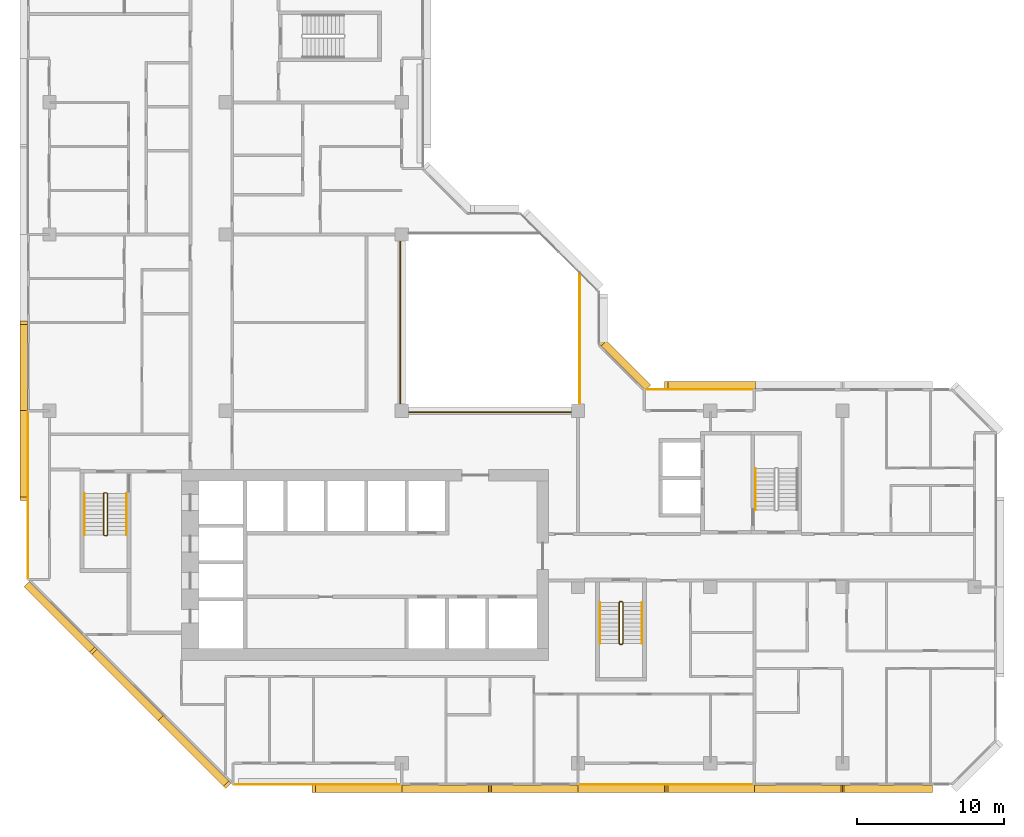
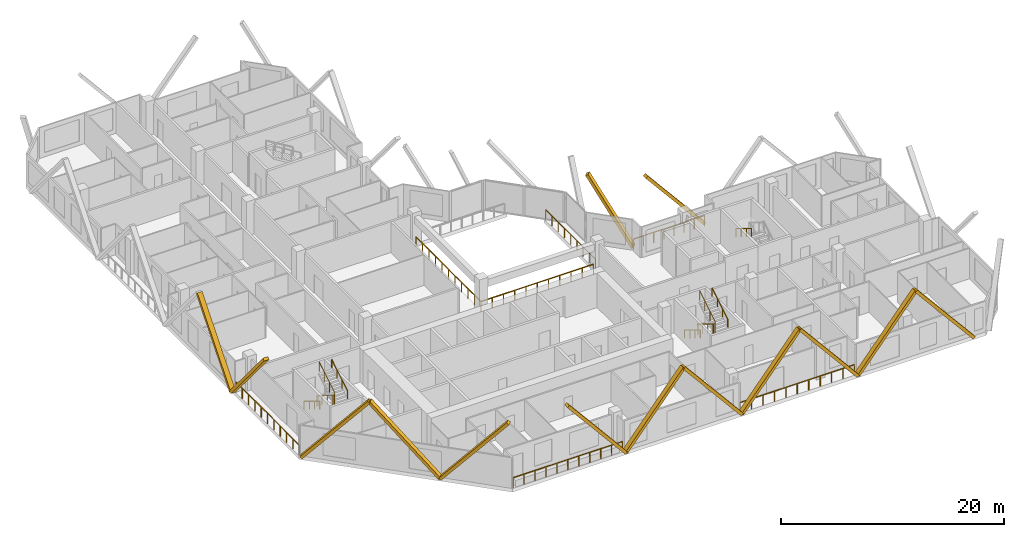
# One storey, part 13 of 14: 14 coverings, 13 railings.
"""IFC4 building model written with IfcOpenShell, lengths in metres."""

from ifc_helpers import new_model, si_unit, direction, frame, origin, origin_2d, place, context, subcontext, project, spatial, rectangle, extrude, material, material_profile, profile_set, type_object, element, save


model = new_model("IFC4")

# Units and contexts
model_context = context("Model", 3, precision=1e-05, world=origin(), true_north=direction((0.0, 1.0)))
body_context = subcontext(model_context, "Body", "Model", "MODEL_VIEW")
ifc_project = project(units=[si_unit("LENGTHUNIT", "METRE"), si_unit("AREAUNIT", "SQUARE_METRE"), si_unit("VOLUMEUNIT", "CUBIC_METRE"), si_unit("PLANEANGLEUNIT", "RADIAN"), si_unit("MASSUNIT", "GRAM", prefix="KILO")], contexts=[model_context])

# Site, building, storey
site_placement = place(None, origin())
site = spatial("IfcSite", under=ifc_project, at=site_placement, CompositionType="ELEMENT")
building_placement = place(site_placement, origin())
building = spatial("IfcBuilding", under=site, at=building_placement, Name="Chenar Terraces", CompositionType="ELEMENT")
storey_placement = place(building_placement, frame((0.0, 0.0, 164.89990234375)))
storey = spatial("IfcBuildingStorey", under=building, at=storey_placement, Name="L37", CompositionType="ELEMENT", Elevation=164.89990234375)

# Railings
ifc_material_1 = material(Name="Powder-coated steel", Category="steel")
railing_type_1 = type_object("IfcRailingType", Name="Guard 1100 steel rail with glass infill", PredefinedType="GUARDRAIL", material=ifc_material_1)
railing_1_placement = place(storey_placement, frame((23.89990234375, 35.550048828125, 0.0)))
element("IfcRailing", 1, at=railing_1_placement, inside=storey, type_object=railing_type_1, Name="Guard L37-1", PredefinedType="GUARDRAIL", context=body_context, shape_type="SweptSolid", body=[
    extrude(rectangle(XDim=0.06005859375, YDim=0.06005859375, at=origin_2d()), frame((0.0, 0.0, 1.070068359375), z_axis=(0.0, -1.0, 0.0), x_axis=(1.0, 0.0, 0.0)), (0.0, 0.0, 1.0), 11.650146484375),
    extrude(rectangle(XDim=0.06005859375, YDim=0.06005859375, at=origin_2d()), frame((0.0, -11.650146484375, 1.070068359375), z_axis=(1.0, 0.0, 0.0), x_axis=(0.0, 1.0, 0.0)), (0.0, 0.0, 1.0), 11.650146484375),
    extrude(rectangle(XDim=0.050048828125, YDim=0.050048828125, at=origin_2d()), origin(), (0.0, 0.0, 1.0), 1.0400390625),
    extrude(rectangle(XDim=0.050048828125, YDim=0.050048828125, at=origin_2d()), frame((0.0, -1.1650390625, 0.0)), (0.0, 0.0, 1.0), 1.0400390625),
    extrude(rectangle(XDim=0.050048828125, YDim=0.050048828125, at=origin_2d()), frame((0.0, -2.330078125, 0.0)), (0.0, 0.0, 1.0), 1.0400390625),
    extrude(rectangle(XDim=0.050048828125, YDim=0.050048828125, at=origin_2d()), frame((0.0, -3.4951171875, 0.0)), (0.0, 0.0, 1.0), 1.0400390625),
    extrude(rectangle(XDim=0.050048828125, YDim=0.050048828125, at=origin_2d()), frame((0.0, -4.66015625, 0.0)), (0.0, 0.0, 1.0), 1.0400390625),
    extrude(rectangle(XDim=0.050048828125, YDim=0.050048828125, at=origin_2d()), frame((0.0, -5.8251953125, 0.0)), (0.0, 0.0, 1.0), 1.0400390625),
    extrude(rectangle(XDim=0.050048828125, YDim=0.050048828125, at=origin_2d()), frame((0.0, -6.989990234375, 0.0)), (0.0, 0.0, 1.0), 1.0400390625),
    extrude(rectangle(XDim=0.050048828125, YDim=0.050048828125, at=origin_2d()), frame((0.0, -8.155029296875, 0.0)), (0.0, 0.0, 1.0), 1.0400390625),
    extrude(rectangle(XDim=0.050048828125, YDim=0.050048828125, at=origin_2d()), frame((0.0, -9.320068359375, 0.0)), (0.0, 0.0, 1.0), 1.0400390625),
    extrude(rectangle(XDim=0.050048828125, YDim=0.050048828125, at=origin_2d()), frame((0.0, -10.485107421875, 0.0)), (0.0, 0.0, 1.0), 1.0400390625),
    extrude(rectangle(XDim=0.050048828125, YDim=0.050048828125, at=origin_2d()), frame((0.0, -11.650146484375, 0.0)), (0.0, 0.0, 1.0), 1.0400390625),
    extrude(rectangle(XDim=0.050048828125, YDim=0.050048828125, at=origin_2d()), frame((1.1650390625, -11.650146484375, 0.0)), (0.0, 0.0, 1.0), 1.0400390625),
    extrude(rectangle(XDim=0.050048828125, YDim=0.050048828125, at=origin_2d()), frame((2.330078125, -11.650146484375, 0.0)), (0.0, 0.0, 1.0), 1.0400390625),
    extrude(rectangle(XDim=0.050048828125, YDim=0.050048828125, at=origin_2d()), frame((3.4951171875, -11.650146484375, 0.0)), (0.0, 0.0, 1.0), 1.0400390625),
    extrude(rectangle(XDim=0.050048828125, YDim=0.050048828125, at=origin_2d()), frame((4.66015625, -11.650146484375, 0.0)), (0.0, 0.0, 1.0), 1.0400390625),
    extrude(rectangle(XDim=0.050048828125, YDim=0.050048828125, at=origin_2d()), frame((5.8251953125, -11.650146484375, 0.0)), (0.0, 0.0, 1.0), 1.0400390625),
    extrude(rectangle(XDim=0.050048828125, YDim=0.050048828125, at=origin_2d()), frame((6.989990234375, -11.650146484375, 0.0)), (0.0, 0.0, 1.0), 1.0400390625),
    extrude(rectangle(XDim=0.050048828125, YDim=0.050048828125, at=origin_2d()), frame((8.155029296875, -11.650146484375, 0.0)), (0.0, 0.0, 1.0), 1.0400390625),
    extrude(rectangle(XDim=0.050048828125, YDim=0.050048828125, at=origin_2d()), frame((9.320068359375, -11.650146484375, 0.0)), (0.0, 0.0, 1.0), 1.0400390625),
    extrude(rectangle(XDim=0.050048828125, YDim=0.050048828125, at=origin_2d()), frame((10.485107421875, -11.650146484375, 0.0)), (0.0, 0.0, 1.0), 1.0400390625),
    extrude(rectangle(XDim=0.050048828125, YDim=0.050048828125, at=origin_2d()), frame((11.650146484375, -11.650146484375, 0.0)), (0.0, 0.0, 1.0), 1.0400390625),
])
railing_2_placement = place(storey_placement, frame((36.10009765625, 24.5, 0.0)))
element("IfcRailing", 2, at=railing_2_placement, inside=storey, type_object=railing_type_1, Name="Guard L37-3", PredefinedType="GUARDRAIL", context=body_context, shape_type="SweptSolid", body=[
    extrude(rectangle(XDim=0.06005859375, YDim=0.06005859375, at=origin_2d()), frame((0.0, 0.0, 1.070068359375), z_axis=(0.0, 1.0, 0.0), x_axis=(-1.0, 0.0, 0.0)), (0.0, 0.0, 1.0), 8.89990234375),
    extrude(rectangle(XDim=0.050048828125, YDim=0.050048828125, at=origin_2d()), origin(), (0.0, 0.0, 1.0), 1.0400390625),
    extrude(rectangle(XDim=0.050048828125, YDim=0.050048828125, at=origin_2d()), frame((0.0, 1.112548828125, 0.0)), (0.0, 0.0, 1.0), 1.0400390625),
    extrude(rectangle(XDim=0.050048828125, YDim=0.050048828125, at=origin_2d()), frame((0.0, 2.22509765625, 0.0)), (0.0, 0.0, 1.0), 1.0400390625),
    extrude(rectangle(XDim=0.050048828125, YDim=0.050048828125, at=origin_2d()), frame((0.0, 3.33740234375, 0.0)), (0.0, 0.0, 1.0), 1.0400390625),
    extrude(rectangle(XDim=0.050048828125, YDim=0.050048828125, at=origin_2d()), frame((0.0, 4.449951171875, 0.0)), (0.0, 0.0, 1.0), 1.0400390625),
    extrude(rectangle(XDim=0.050048828125, YDim=0.050048828125, at=origin_2d()), frame((0.0, 5.5625, 0.0)), (0.0, 0.0, 1.0), 1.0400390625),
    extrude(rectangle(XDim=0.050048828125, YDim=0.050048828125, at=origin_2d()), frame((0.0, 6.6748046875, 0.0)), (0.0, 0.0, 1.0), 1.0400390625),
    extrude(rectangle(XDim=0.050048828125, YDim=0.050048828125, at=origin_2d()), frame((0.0, 7.787353515625, 0.0)), (0.0, 0.0, 1.0), 1.0400390625),
    extrude(rectangle(XDim=0.050048828125, YDim=0.050048828125, at=origin_2d()), frame((0.0, 8.89990234375, 0.0)), (0.0, 0.0, 1.0), 1.0400390625),
])
ifc_material_2 = material(Name="Stainless steel and glass", Category="steel")
railing_type_2 = type_object("IfcRailingType", Name="Loggia guard 1150", PredefinedType="GUARDRAIL", material=ifc_material_2)
railing_3_placement = place(storey_placement, frame((47.925048828125, 25.449951171875, 0.0)))
element("IfcRailing", 3, at=railing_3_placement, inside=storey, type_object=railing_type_2, Name="Loggia guard", PredefinedType="GUARDRAIL", context=body_context, shape_type="SweptSolid", body=[
    extrude(rectangle(XDim=0.048095703125, YDim=0.048095703125, at=origin_2d()), frame((0.0, 0.0, 1.1259765625), z_axis=(-1.0, 0.0, 0.0), x_axis=(0.0, -1.0, 0.0)), (0.0, 0.0, 1.0), 7.35009765625),
    extrude(rectangle(XDim=0.0419921875, YDim=0.0419921875, at=origin_2d()), origin(), (0.0, 0.0, 1.0), 1.101806640625),
    extrude(rectangle(XDim=0.0419921875, YDim=0.0419921875, at=origin_2d()), frame((-1.050048828125, 0.0, 0.0)), (0.0, 0.0, 1.0), 1.101806640625),
    extrude(rectangle(XDim=0.0419921875, YDim=0.0419921875, at=origin_2d()), frame((-2.10009765625, 0.0, 0.0)), (0.0, 0.0, 1.0), 1.101806640625),
    extrude(rectangle(XDim=0.0419921875, YDim=0.0419921875, at=origin_2d()), frame((-3.150146484375, 0.0, 0.0)), (0.0, 0.0, 1.0), 1.101806640625),
    extrude(rectangle(XDim=0.0419921875, YDim=0.0419921875, at=origin_2d()), frame((-4.199951171875, 0.0, 0.0)), (0.0, 0.0, 1.0), 1.101806640625),
    extrude(rectangle(XDim=0.0419921875, YDim=0.0419921875, at=origin_2d()), frame((-5.25, 0.0, 0.0)), (0.0, 0.0, 1.0), 1.101806640625),
    extrude(rectangle(XDim=0.0419921875, YDim=0.0419921875, at=origin_2d()), frame((-6.300048828125, 0.0, 0.0)), (0.0, 0.0, 1.0), 1.101806640625),
    extrude(rectangle(XDim=0.0419921875, YDim=0.0419921875, at=origin_2d()), frame((-7.35009765625, 0.0, 0.0)), (0.0, 0.0, 1.0), 1.101806640625),
])
railing_4_placement = place(storey_placement, frame((12.574951171875, -1.449951171875, 0.0)))
element("IfcRailing", 4, at=railing_4_placement, inside=storey, type_object=railing_type_2, Name="Loggia guard", PredefinedType="GUARDRAIL", context=body_context, shape_type="SweptSolid", body=[
    extrude(rectangle(XDim=0.048095703125, YDim=0.048095703125, at=origin_2d()), frame((0.0, 0.0, 1.1259765625), z_axis=(1.0, 0.0, 0.0), x_axis=(0.0, 1.0, 0.0)), (0.0, 0.0, 1.0), 11.35009765625),
    extrude(rectangle(XDim=0.0419921875, YDim=0.0419921875, at=origin_2d()), origin(), (0.0, 0.0, 1.0), 1.101806640625),
    extrude(rectangle(XDim=0.0419921875, YDim=0.0419921875, at=origin_2d()), frame((1.135009765625, 0.0, 0.0)), (0.0, 0.0, 1.0), 1.101806640625),
    extrude(rectangle(XDim=0.0419921875, YDim=0.0419921875, at=origin_2d()), frame((2.27001953125, 0.0, 0.0)), (0.0, 0.0, 1.0), 1.101806640625),
    extrude(rectangle(XDim=0.0419921875, YDim=0.0419921875, at=origin_2d()), frame((3.405029296875, 0.0, 0.0)), (0.0, 0.0, 1.0), 1.101806640625),
    extrude(rectangle(XDim=0.0419921875, YDim=0.0419921875, at=origin_2d()), frame((4.5400390625, 0.0, 0.0)), (0.0, 0.0, 1.0), 1.101806640625),
    extrude(rectangle(XDim=0.0419921875, YDim=0.0419921875, at=origin_2d()), frame((5.675048828125, 0.0, 0.0)), (0.0, 0.0, 1.0), 1.101806640625),
    extrude(rectangle(XDim=0.0419921875, YDim=0.0419921875, at=origin_2d()), frame((6.81005859375, 0.0, 0.0)), (0.0, 0.0, 1.0), 1.101806640625),
    extrude(rectangle(XDim=0.0419921875, YDim=0.0419921875, at=origin_2d()), frame((7.945068359375, 0.0, 0.0)), (0.0, 0.0, 1.0), 1.101806640625),
    extrude(rectangle(XDim=0.0419921875, YDim=0.0419921875, at=origin_2d()), frame((9.080078125, 0.0, 0.0)), (0.0, 0.0, 1.0), 1.101806640625),
    extrude(rectangle(XDim=0.0419921875, YDim=0.0419921875, at=origin_2d()), frame((10.215087890625, 0.0, 0.0)), (0.0, 0.0, 1.0), 1.101806640625),
    extrude(rectangle(XDim=0.0419921875, YDim=0.0419921875, at=origin_2d()), frame((11.35009765625, 0.0, 0.0)), (0.0, 0.0, 1.0), 1.101806640625),
])
railing_5_placement = place(storey_placement, frame((36.074951171875, -1.449951171875, 0.0)))
element("IfcRailing", 5, at=railing_5_placement, inside=storey, type_object=railing_type_2, Name="Loggia guard", PredefinedType="GUARDRAIL", context=body_context, shape_type="SweptSolid", body=[
    extrude(rectangle(XDim=0.048095703125, YDim=0.048095703125, at=origin_2d()), frame((0.0, 0.0, 1.1259765625), z_axis=(1.0, 0.0, 0.0), x_axis=(0.0, 1.0, 0.0)), (0.0, 0.0, 1.0), 11.85009765625),
    extrude(rectangle(XDim=0.0419921875, YDim=0.0419921875, at=origin_2d()), origin(), (0.0, 0.0, 1.0), 1.101806640625),
    extrude(rectangle(XDim=0.0419921875, YDim=0.0419921875, at=origin_2d()), frame((1.18505859375, 0.0, 0.0)), (0.0, 0.0, 1.0), 1.101806640625),
    extrude(rectangle(XDim=0.0419921875, YDim=0.0419921875, at=origin_2d()), frame((2.3701171875, 0.0, 0.0)), (0.0, 0.0, 1.0), 1.101806640625),
    extrude(rectangle(XDim=0.0419921875, YDim=0.0419921875, at=origin_2d()), frame((3.554931640625, 0.0, 0.0)), (0.0, 0.0, 1.0), 1.101806640625),
    extrude(rectangle(XDim=0.0419921875, YDim=0.0419921875, at=origin_2d()), frame((4.739990234375, 0.0, 0.0)), (0.0, 0.0, 1.0), 1.101806640625),
    extrude(rectangle(XDim=0.0419921875, YDim=0.0419921875, at=origin_2d()), frame((5.925048828125, 0.0, 0.0)), (0.0, 0.0, 1.0), 1.101806640625),
    extrude(rectangle(XDim=0.0419921875, YDim=0.0419921875, at=origin_2d()), frame((7.110107421875, 0.0, 0.0)), (0.0, 0.0, 1.0), 1.101806640625),
    extrude(rectangle(XDim=0.0419921875, YDim=0.0419921875, at=origin_2d()), frame((8.295166015625, 0.0, 0.0)), (0.0, 0.0, 1.0), 1.101806640625),
    extrude(rectangle(XDim=0.0419921875, YDim=0.0419921875, at=origin_2d()), frame((9.47998046875, 0.0, 0.0)), (0.0, 0.0, 1.0), 1.101806640625),
    extrude(rectangle(XDim=0.0419921875, YDim=0.0419921875, at=origin_2d()), frame((10.6650390625, 0.0, 0.0)), (0.0, 0.0, 1.0), 1.101806640625),
    extrude(rectangle(XDim=0.0419921875, YDim=0.0419921875, at=origin_2d()), frame((11.85009765625, 0.0, 0.0)), (0.0, 0.0, 1.0), 1.101806640625),
])
railing_6_placement = place(storey_placement, frame((-1.449951171875, 23.925048828125, 0.0)))
element("IfcRailing", 6, at=railing_6_placement, inside=storey, type_object=railing_type_2, Name="Loggia guard", PredefinedType="GUARDRAIL", context=body_context, shape_type="SweptSolid", body=[
    extrude(rectangle(XDim=0.048095703125, YDim=0.048095703125, at=origin_2d()), frame((0.0, 0.0, 1.1259765625), z_axis=(0.0, -1.0, 0.0), x_axis=(1.0, 0.0, 0.0)), (0.0, 0.0, 1.0), 11.35009765625),
    extrude(rectangle(XDim=0.0419921875, YDim=0.0419921875, at=origin_2d()), origin(), (0.0, 0.0, 1.0), 1.101806640625),
    extrude(rectangle(XDim=0.0419921875, YDim=0.0419921875, at=origin_2d()), frame((0.0, -1.135009765625, 0.0)), (0.0, 0.0, 1.0), 1.101806640625),
    extrude(rectangle(XDim=0.0419921875, YDim=0.0419921875, at=origin_2d()), frame((0.0, -2.27001953125, 0.0)), (0.0, 0.0, 1.0), 1.101806640625),
    extrude(rectangle(XDim=0.0419921875, YDim=0.0419921875, at=origin_2d()), frame((0.0, -3.405029296875, 0.0)), (0.0, 0.0, 1.0), 1.101806640625),
    extrude(rectangle(XDim=0.0419921875, YDim=0.0419921875, at=origin_2d()), frame((0.0, -4.5400390625, 0.0)), (0.0, 0.0, 1.0), 1.101806640625),
    extrude(rectangle(XDim=0.0419921875, YDim=0.0419921875, at=origin_2d()), frame((0.0, -5.675048828125, 0.0)), (0.0, 0.0, 1.0), 1.101806640625),
    extrude(rectangle(XDim=0.0419921875, YDim=0.0419921875, at=origin_2d()), frame((0.0, -6.81005859375, 0.0)), (0.0, 0.0, 1.0), 1.101806640625),
    extrude(rectangle(XDim=0.0419921875, YDim=0.0419921875, at=origin_2d()), frame((0.0, -7.945068359375, 0.0)), (0.0, 0.0, 1.0), 1.101806640625),
    extrude(rectangle(XDim=0.0419921875, YDim=0.0419921875, at=origin_2d()), frame((0.0, -9.080078125, 0.0)), (0.0, 0.0, 1.0), 1.101806640625),
    extrude(rectangle(XDim=0.0419921875, YDim=0.0419921875, at=origin_2d()), frame((0.0, -10.215087890625, 0.0)), (0.0, 0.0, 1.0), 1.101806640625),
    extrude(rectangle(XDim=0.0419921875, YDim=0.0419921875, at=origin_2d()), frame((0.0, -11.35009765625, 0.0)), (0.0, 0.0, 1.0), 1.101806640625),
])
ifc_material_3 = material(Name="Powder-coated steel", Category="steel")
railing_type_3 = type_object("IfcRailingType", Name="Stair guard 1100", PredefinedType="GUARDRAIL", material=ifc_material_3)
railing_7_placement = place(storey_placement, frame((3.949951171875, 18.35009765625, 3.75)))
element("IfcRailing", 7, at=railing_7_placement, inside=storey, type_object=railing_type_3, Name="L37 ST1 stair guard 1", PredefinedType="GUARDRAIL", context=body_context, shape_type="SweptSolid", body=[
    extrude(rectangle(XDim=0.048095703125, YDim=0.048095703125, at=origin_2d()), frame((0.0, 0.0, 1.076171875), z_axis=(0.0, -0.854202870247, -0.519939858505), x_axis=(1.0, 0.0, 0.0)), (0.0, 0.0, 1.0), 3.278076171875),
    extrude(rectangle(XDim=0.048095703125, YDim=0.048095703125, at=origin_2d()), frame((0.0, -2.800048828125, -0.62841796875), z_axis=(-0.270899902878, -0.270899902878, -0.923702595667), x_axis=(0.707106781187, -0.707106781187, 0.0)), (0.0, 0.0, 1.0), 0.184814453125),
    extrude(rectangle(XDim=0.048095703125, YDim=0.048095703125, at=origin_2d()), frame((-0.050048828125, -2.85009765625, -0.798828125), z_axis=(-1.0, 0.0, 0.0), x_axis=(0.0, -1.0, 0.0)), (0.0, 0.0, 1.0), 0.14990234375),
    extrude(rectangle(XDim=0.048095703125, YDim=0.048095703125, at=origin_2d()), frame((-0.199951171875, -2.85009765625, -0.798828125), z_axis=(-0.707106781187, 0.707106781187, 0.0), x_axis=(-0.707106781187, -0.707106781187, 0.0)), (0.0, 0.0, 1.0), 0.07080078125),
    extrude(rectangle(XDim=0.048095703125, YDim=0.048095703125, at=origin_2d()), frame((-0.25, -2.800048828125, -0.798828125), z_axis=(0.0, 0.854202870247, -0.519939858505), x_axis=(-1.0, 0.0, 0.0)), (0.0, 0.0, 1.0), 3.278076171875),
    extrude(rectangle(XDim=0.048095703125, YDim=0.048095703125, at=origin_2d()), frame((-0.25, 0.0, -2.50341796875), z_axis=(0.270996696079, 0.269674760976, -0.924032636873), x_axis=(-0.705375805398, 0.708833529934, 0.0)), (0.0, 0.0, 1.0), 0.1845703125),
    extrude(rectangle(XDim=0.048095703125, YDim=0.048095703125, at=origin_2d()), frame((-0.199951171875, 0.0498046875, -2.673828125), z_axis=(1.0, 0.0, 0.0), x_axis=(0.0, 1.0, 0.0)), (0.0, 0.0, 1.0), 0.14990234375),
    extrude(rectangle(XDim=0.0419921875, YDim=0.0419921875, at=origin_2d()), origin(), (0.0, 0.0, 1.0), 1.052001953125),
    extrude(rectangle(XDim=0.0419921875, YDim=0.0419921875, at=origin_2d()), frame((0.0, -0.933349609375, -0.568115234375)), (0.0, 0.0, 1.0), 1.052001953125),
    extrude(rectangle(XDim=0.0419921875, YDim=0.0419921875, at=origin_2d()), frame((0.0, -1.86669921875, -1.13623046875)), (0.0, 0.0, 1.0), 1.052001953125),
    extrude(rectangle(XDim=0.0419921875, YDim=0.0419921875, at=origin_2d()), frame((0.0, -2.800048828125, -1.704345703125)), (0.0, 0.0, 1.0), 1.052001953125),
    extrude(rectangle(XDim=0.0419921875, YDim=0.0419921875, at=origin_2d()), frame((-0.050048828125, -2.85009765625, -1.875)), (0.0, 0.0, 1.0), 1.052001953125),
    extrude(rectangle(XDim=0.0419921875, YDim=0.0419921875, at=origin_2d()), frame((-0.199951171875, -2.85009765625, -1.875)), (0.0, 0.0, 1.0), 1.052001953125),
    extrude(rectangle(XDim=0.0419921875, YDim=0.0419921875, at=origin_2d()), frame((-0.25, -2.800048828125, -1.875)), (0.0, 0.0, 1.0), 1.052001953125),
    extrude(rectangle(XDim=0.0419921875, YDim=0.0419921875, at=origin_2d()), frame((-0.25, -1.86669921875, -2.443115234375)), (0.0, 0.0, 1.0), 1.052001953125),
    extrude(rectangle(XDim=0.0419921875, YDim=0.0419921875, at=origin_2d()), frame((-0.25, -0.933349609375, -3.01123046875)), (0.0, 0.0, 1.0), 1.052001953125),
    extrude(rectangle(XDim=0.0419921875, YDim=0.0419921875, at=origin_2d()), frame((-0.25, 0.0, -3.579345703125)), (0.0, 0.0, 1.0), 1.052001953125),
    extrude(rectangle(XDim=0.0419921875, YDim=0.0419921875, at=origin_2d()), frame((-0.199951171875, 0.0498046875, -3.75)), (0.0, 0.0, 1.0), 1.052001953125),
    extrude(rectangle(XDim=0.0419921875, YDim=0.0419921875, at=origin_2d()), frame((-0.050048828125, 0.0498046875, -3.75)), (0.0, 0.0, 1.0), 1.052001953125),
])
railing_8_placement = place(storey_placement, frame((39.050048828125, 10.949951171875, 3.75)))
element("IfcRailing", 8, at=railing_8_placement, inside=storey, type_object=railing_type_3, Name="L37 ST2 stair guard 1", PredefinedType="GUARDRAIL", context=body_context, shape_type="SweptSolid", body=[
    extrude(rectangle(XDim=0.048095703125, YDim=0.048095703125, at=origin_2d()), frame((0.0, 0.0, 1.076171875), z_axis=(0.0, -0.854202870247, -0.519939858505), x_axis=(1.0, 0.0, 0.0)), (0.0, 0.0, 1.0), 3.278076171875),
    extrude(rectangle(XDim=0.048095703125, YDim=0.048095703125, at=origin_2d()), frame((0.0, -2.800048828125, -0.62841796875), z_axis=(-0.270996696079, -0.269674760976, -0.924032636873), x_axis=(0.705375805398, -0.708833529934, 0.0)), (0.0, 0.0, 1.0), 0.1845703125),
    extrude(rectangle(XDim=0.048095703125, YDim=0.048095703125, at=origin_2d()), frame((-0.050048828125, -2.849853515625, -0.798828125), z_axis=(-1.0, 0.0, 0.0), x_axis=(0.0, -1.0, 0.0)), (0.0, 0.0, 1.0), 0.14990234375),
    extrude(rectangle(XDim=0.048095703125, YDim=0.048095703125, at=origin_2d()), frame((-0.199951171875, -2.849853515625, -0.798828125), z_axis=(-0.708833529934, 0.705375805398, 0.0), x_axis=(-0.705375805398, -0.708833529934, 0.0)), (0.0, 0.0, 1.0), 0.070556640625),
    extrude(rectangle(XDim=0.048095703125, YDim=0.048095703125, at=origin_2d()), frame((-0.25, -2.800048828125, -0.798828125), z_axis=(0.0, 0.854202870247, -0.519939858505), x_axis=(-1.0, 0.0, 0.0)), (0.0, 0.0, 1.0), 3.278076171875),
    extrude(rectangle(XDim=0.048095703125, YDim=0.048095703125, at=origin_2d()), frame((-0.25, 0.0, -2.50341796875), z_axis=(0.270899902878, 0.270899902878, -0.923702595667), x_axis=(-0.707106781187, 0.707106781187, 0.0)), (0.0, 0.0, 1.0), 0.184814453125),
    extrude(rectangle(XDim=0.048095703125, YDim=0.048095703125, at=origin_2d()), frame((-0.199951171875, 0.050048828125, -2.673828125), z_axis=(1.0, 0.0, 0.0), x_axis=(0.0, 1.0, 0.0)), (0.0, 0.0, 1.0), 0.14990234375),
    extrude(rectangle(XDim=0.0419921875, YDim=0.0419921875, at=origin_2d()), origin(), (0.0, 0.0, 1.0), 1.052001953125),
    extrude(rectangle(XDim=0.0419921875, YDim=0.0419921875, at=origin_2d()), frame((0.0, -0.933349609375, -0.568115234375)), (0.0, 0.0, 1.0), 1.052001953125),
    extrude(rectangle(XDim=0.0419921875, YDim=0.0419921875, at=origin_2d()), frame((0.0, -1.86669921875, -1.13623046875)), (0.0, 0.0, 1.0), 1.052001953125),
    extrude(rectangle(XDim=0.0419921875, YDim=0.0419921875, at=origin_2d()), frame((0.0, -2.800048828125, -1.704345703125)), (0.0, 0.0, 1.0), 1.052001953125),
    extrude(rectangle(XDim=0.0419921875, YDim=0.0419921875, at=origin_2d()), frame((-0.050048828125, -2.849853515625, -1.875)), (0.0, 0.0, 1.0), 1.052001953125),
    extrude(rectangle(XDim=0.0419921875, YDim=0.0419921875, at=origin_2d()), frame((-0.199951171875, -2.849853515625, -1.875)), (0.0, 0.0, 1.0), 1.052001953125),
    extrude(rectangle(XDim=0.0419921875, YDim=0.0419921875, at=origin_2d()), frame((-0.25, -2.800048828125, -1.875)), (0.0, 0.0, 1.0), 1.052001953125),
    extrude(rectangle(XDim=0.0419921875, YDim=0.0419921875, at=origin_2d()), frame((-0.25, -1.86669921875, -2.443115234375)), (0.0, 0.0, 1.0), 1.052001953125),
    extrude(rectangle(XDim=0.0419921875, YDim=0.0419921875, at=origin_2d()), frame((-0.25, -0.933349609375, -3.01123046875)), (0.0, 0.0, 1.0), 1.052001953125),
    extrude(rectangle(XDim=0.0419921875, YDim=0.0419921875, at=origin_2d()), frame((-0.25, 0.0, -3.579345703125)), (0.0, 0.0, 1.0), 1.052001953125),
    extrude(rectangle(XDim=0.0419921875, YDim=0.0419921875, at=origin_2d()), frame((-0.199951171875, 0.050048828125, -3.75)), (0.0, 0.0, 1.0), 1.052001953125),
    extrude(rectangle(XDim=0.0419921875, YDim=0.0419921875, at=origin_2d()), frame((-0.050048828125, 0.050048828125, -3.75)), (0.0, 0.0, 1.0), 1.052001953125),
])
ifc_material_4 = material(Name="Powder-coated steel", Category="steel")
railing_type_4 = type_object("IfcRailingType", Name="Stair handrail 900", PredefinedType="HANDRAIL", material=ifc_material_4)
railing_9_placement = place(storey_placement, frame((2.39990234375, 18.35009765625, 0.170654296875)))
element("IfcRailing", 9, at=railing_9_placement, inside=storey, type_object=railing_type_4, Name="L37 ST1 stair handrail 1", PredefinedType="HANDRAIL", context=body_context, shape_type="SweptSolid", body=[
    extrude(rectangle(XDim=0.048095703125, YDim=0.048095703125, at=origin_2d()), frame((0.0, 0.0, 0.8759765625), z_axis=(0.0, -0.854202870247, 0.519939858505), x_axis=(1.0, 0.0, 0.0)), (0.0, 0.0, 1.0), 3.278076171875),
    extrude(rectangle(XDim=0.0419921875, YDim=0.0419921875, at=origin_2d()), origin(), (0.0, 0.0, 1.0), 0.851806640625),
    extrude(rectangle(XDim=0.0419921875, YDim=0.0419921875, at=origin_2d()), frame((0.0, -0.933349609375, 0.568115234375)), (0.0, 0.0, 1.0), 0.851806640625),
    extrude(rectangle(XDim=0.0419921875, YDim=0.0419921875, at=origin_2d()), frame((0.0, -1.86669921875, 1.13623046875)), (0.0, 0.0, 1.0), 0.851806640625),
    extrude(rectangle(XDim=0.0419921875, YDim=0.0419921875, at=origin_2d()), frame((0.0, -2.800048828125, 1.704345703125)), (0.0, 0.0, 1.0), 0.851806640625),
])
railing_10_placement = place(storey_placement, frame((5.25, 15.550048828125, 2.045654296875)))
element("IfcRailing", 10, at=railing_10_placement, inside=storey, type_object=railing_type_4, Name="L37 ST1 stair handrail 2", PredefinedType="HANDRAIL", context=body_context, shape_type="SweptSolid", body=[
    extrude(rectangle(XDim=0.048095703125, YDim=0.048095703125, at=origin_2d()), frame((0.0, 0.0, 0.8759765625), z_axis=(0.0, 0.854202870247, 0.519939858505), x_axis=(-1.0, 0.0, 0.0)), (0.0, 0.0, 1.0), 3.278076171875),
    extrude(rectangle(XDim=0.0419921875, YDim=0.0419921875, at=origin_2d()), origin(), (0.0, 0.0, 1.0), 0.851806640625),
    extrude(rectangle(XDim=0.0419921875, YDim=0.0419921875, at=origin_2d()), frame((0.0, 0.933349609375, 0.568115234375)), (0.0, 0.0, 1.0), 0.851806640625),
    extrude(rectangle(XDim=0.0419921875, YDim=0.0419921875, at=origin_2d()), frame((0.0, 1.86669921875, 1.13623046875)), (0.0, 0.0, 1.0), 0.851806640625),
    extrude(rectangle(XDim=0.0419921875, YDim=0.0419921875, at=origin_2d()), frame((0.0, 2.800048828125, 1.704345703125)), (0.0, 0.0, 1.0), 0.851806640625),
])
railing_11_placement = place(storey_placement, frame((37.5, 10.949951171875, 0.170654296875)))
element("IfcRailing", 11, at=railing_11_placement, inside=storey, type_object=railing_type_4, Name="L37 ST2 stair handrail 1", PredefinedType="HANDRAIL", context=body_context, shape_type="SweptSolid", body=[
    extrude(rectangle(XDim=0.048095703125, YDim=0.048095703125, at=origin_2d()), frame((0.0, 0.0, 0.8759765625), z_axis=(0.0, -0.854202870247, 0.519939858505), x_axis=(1.0, 0.0, 0.0)), (0.0, 0.0, 1.0), 3.278076171875),
    extrude(rectangle(XDim=0.0419921875, YDim=0.0419921875, at=origin_2d()), origin(), (0.0, 0.0, 1.0), 0.851806640625),
    extrude(rectangle(XDim=0.0419921875, YDim=0.0419921875, at=origin_2d()), frame((0.0, -0.933349609375, 0.568115234375)), (0.0, 0.0, 1.0), 0.851806640625),
    extrude(rectangle(XDim=0.0419921875, YDim=0.0419921875, at=origin_2d()), frame((0.0, -1.86669921875, 1.13623046875)), (0.0, 0.0, 1.0), 0.851806640625),
    extrude(rectangle(XDim=0.0419921875, YDim=0.0419921875, at=origin_2d()), frame((0.0, -2.800048828125, 1.704345703125)), (0.0, 0.0, 1.0), 0.851806640625),
])
railing_12_placement = place(storey_placement, frame((40.35009765625, 8.14990234375, 2.045654296875)))
element("IfcRailing", 12, at=railing_12_placement, inside=storey, type_object=railing_type_4, Name="L37 ST2 stair handrail 2", PredefinedType="HANDRAIL", context=body_context, shape_type="SweptSolid", body=[
    extrude(rectangle(XDim=0.048095703125, YDim=0.048095703125, at=origin_2d()), frame((0.0, 0.0, 0.8759765625), z_axis=(0.0, 0.854202870247, 0.519939858505), x_axis=(-1.0, 0.0, 0.0)), (0.0, 0.0, 1.0), 3.278076171875),
    extrude(rectangle(XDim=0.0419921875, YDim=0.0419921875, at=origin_2d()), origin(), (0.0, 0.0, 1.0), 0.851806640625),
    extrude(rectangle(XDim=0.0419921875, YDim=0.0419921875, at=origin_2d()), frame((0.0, 0.933349609375, 0.568115234375)), (0.0, 0.0, 1.0), 0.851806640625),
    extrude(rectangle(XDim=0.0419921875, YDim=0.0419921875, at=origin_2d()), frame((0.0, 1.86669921875, 1.13623046875)), (0.0, 0.0, 1.0), 0.851806640625),
    extrude(rectangle(XDim=0.0419921875, YDim=0.0419921875, at=origin_2d()), frame((0.0, 2.800048828125, 1.704345703125)), (0.0, 0.0, 1.0), 0.851806640625),
])
railing_13_placement = place(storey_placement, frame((48.074951171875, 20.050048828125, 2.045654296875)))
element("IfcRailing", 13, at=railing_13_placement, inside=storey, type_object=railing_type_4, Name="L37 ST3 stair handrail 2", PredefinedType="HANDRAIL", context=body_context, shape_type="SweptSolid", body=[
    extrude(rectangle(XDim=0.048095703125, YDim=0.048095703125, at=origin_2d()), frame((0.0, 0.0, 0.8759765625), z_axis=(0.0, -0.854202870247, 0.519939858505), x_axis=(1.0, 0.0, 0.0)), (0.0, 0.0, 1.0), 3.278076171875),
    extrude(rectangle(XDim=0.0419921875, YDim=0.0419921875, at=origin_2d()), origin(), (0.0, 0.0, 1.0), 0.851806640625),
    extrude(rectangle(XDim=0.0419921875, YDim=0.0419921875, at=origin_2d()), frame((0.0, -0.933349609375, 0.568115234375)), (0.0, 0.0, 1.0), 0.851806640625),
    extrude(rectangle(XDim=0.0419921875, YDim=0.0419921875, at=origin_2d()), frame((0.0, -1.86669921875, 1.13623046875)), (0.0, 0.0, 1.0), 0.851806640625),
    extrude(rectangle(XDim=0.0419921875, YDim=0.0419921875, at=origin_2d()), frame((0.0, -2.800048828125, 1.704345703125)), (0.0, 0.0, 1.0), 0.851806640625),
])

# Coverings
ifc_material_5 = material(Name="Terracotta", Category="masonry")
ifc_material_profile = material_profile(ifc_material_5, rectangle(XDim=0.5, YDim=0.300048828125, at=origin_2d()), Name="Terracotta baguette 500 x 300")
ifc_profile_set = profile_set([ifc_material_profile], Name="Terracotta")
covering_type = type_object("IfcCoveringType", Name="Terracotta baguette 500 x 300", PredefinedType="CLADDING", material=ifc_profile_set)
covering_1_placement = place(storey_placement, frame((48.0, 25.75, 0.150146484375), z_axis=(-0.640186961885, 0.0, 0.768219144407), x_axis=(0.0, -1.0, 0.0)))
element("IfcCovering", 14, at=covering_1_placement, inside=storey, type_object=covering_type, Name="Terracotta baguette", PredefinedType="CLADDING", context=body_context, shape_type="SweptSolid", body=[
    extrude(rectangle(XDim=0.5, YDim=0.300048828125, at=origin_2d()), origin(), (0.0, 0.0, 1.0), 9.372314453125),
])
covering_2_placement = place(storey_placement, frame((40.6767578125, 25.6767578125, 0.150146484375), z_axis=(-0.358980886355, 0.358980886355, 0.861548284464), x_axis=(-0.707106781187, -0.707106781187, 0.0)))
element("IfcCovering", 15, at=covering_2_placement, inside=storey, type_object=covering_type, Name="Terracotta baguette", PredefinedType="CLADDING", context=body_context, shape_type="SweptSolid", body=[
    extrude(rectangle(XDim=0.5, YDim=0.300048828125, at=origin_2d()), origin(), (0.0, 0.0, 1.0), 8.35693359375),
])
for number, where, z_axis, x_axis, name in (
    (16, (-1.75, 30.0, 7.35009765625), (0.0, -0.640186961885, -0.768219144407), (1.0, 0.0, 0.0), "Terracotta baguette"),
    (17, (-1.75, 24.0, 0.150146484375), (0.0, -0.640186961885, 0.768219144407), (1.0, 0.0, 0.0), "Terracotta baguette"),
):
    element("IfcCovering", number, at=place(storey_placement, frame(where, z_axis=z_axis, x_axis=x_axis)), inside=storey, type_object=covering_type, Name=name, PredefinedType="CLADDING", context=body_context, shape_type="SweptSolid", body=[
        extrude(rectangle(XDim=0.5, YDim=0.300048828125, at=origin_2d()), origin(), (0.0, 0.0, 1.0), 9.372314453125),
    ])
covering_3_placement = place(storey_placement, frame((-1.464599609375, 12.111083984375, 0.150146484375), z_axis=(0.465624035565, -0.465624035565, 0.752587878595), x_axis=(0.707106781187, 0.707106781187, 0.0)))
element("IfcCovering", 18, at=covering_3_placement, inside=storey, type_object=covering_type, Name="Terracotta baguette", PredefinedType="CLADDING", context=body_context, shape_type="SweptSolid", body=[
    extrude(rectangle(XDim=0.5, YDim=0.300048828125, at=origin_2d()), origin(), (0.0, 0.0, 1.0), 9.56689453125),
])
covering_4_placement = place(storey_placement, frame((2.989990234375, 7.656494140625, 7.35009765625), z_axis=(0.477788925607, -0.477788925607, -0.737180768289), x_axis=(0.707106781187, 0.707106781187, 0.0)))
element("IfcCovering", 19, at=covering_4_placement, inside=storey, type_object=covering_type, Name="Terracotta baguette", PredefinedType="CLADDING", context=body_context, shape_type="SweptSolid", body=[
    extrude(rectangle(XDim=0.5, YDim=0.300048828125, at=origin_2d()), origin(), (0.0, 0.0, 1.0), 9.766845703125),
])
covering_5_placement = place(storey_placement, frame((7.656494140625, 2.989990234375, 0.150146484375), z_axis=(0.465624035565, -0.465624035565, 0.752587878595), x_axis=(0.707106781187, 0.707106781187, 0.0)))
element("IfcCovering", 20, at=covering_5_placement, inside=storey, type_object=covering_type, Name="Terracotta baguette", PredefinedType="CLADDING", context=body_context, shape_type="SweptSolid", body=[
    extrude(rectangle(XDim=0.5, YDim=0.300048828125, at=origin_2d()), origin(), (0.0, 0.0, 1.0), 9.56689453125),
])
for number, where, z_axis, x_axis, name in (
    (21, (18.0, -1.75, 7.35009765625), (0.640186961885, 0.0, -0.768219144407), (0.0, 1.0, 0.0), "Terracotta baguette"),
    (22, (24.0, -1.75, 0.150146484375), (0.640186961885, 0.0, 0.768219144407), (0.0, 1.0, 0.0), "Terracotta baguette"),
    (23, (30.0, -1.75, 7.35009765625), (0.640186961885, 0.0, -0.768219144407), (0.0, 1.0, 0.0), "Terracotta baguette"),
    (24, (36.0, -1.75, 0.150146484375), (0.640186961885, 0.0, 0.768219144407), (0.0, 1.0, 0.0), "Terracotta baguette"),
    (25, (42.0, -1.75, 7.35009765625), (0.640186961885, 0.0, -0.768219144407), (0.0, 1.0, 0.0), "Terracotta baguette"),
    (26, (48.0, -1.75, 0.150146484375), (0.640186961885, 0.0, 0.768219144407), (0.0, 1.0, 0.0), "Terracotta baguette"),
    (27, (54.0, -1.75, 7.35009765625), (0.640186961885, 0.0, -0.768219144407), (0.0, 1.0, 0.0), "Terracotta baguette"),
):
    element("IfcCovering", number, at=place(storey_placement, frame(where, z_axis=z_axis, x_axis=x_axis)), inside=storey, type_object=covering_type, Name=name, PredefinedType="CLADDING", context=body_context, shape_type="SweptSolid", body=[
        extrude(rectangle(XDim=0.5, YDim=0.300048828125, at=origin_2d()), origin(), (0.0, 0.0, 1.0), 9.372314453125),
    ])

save(model, "model.ifc")
